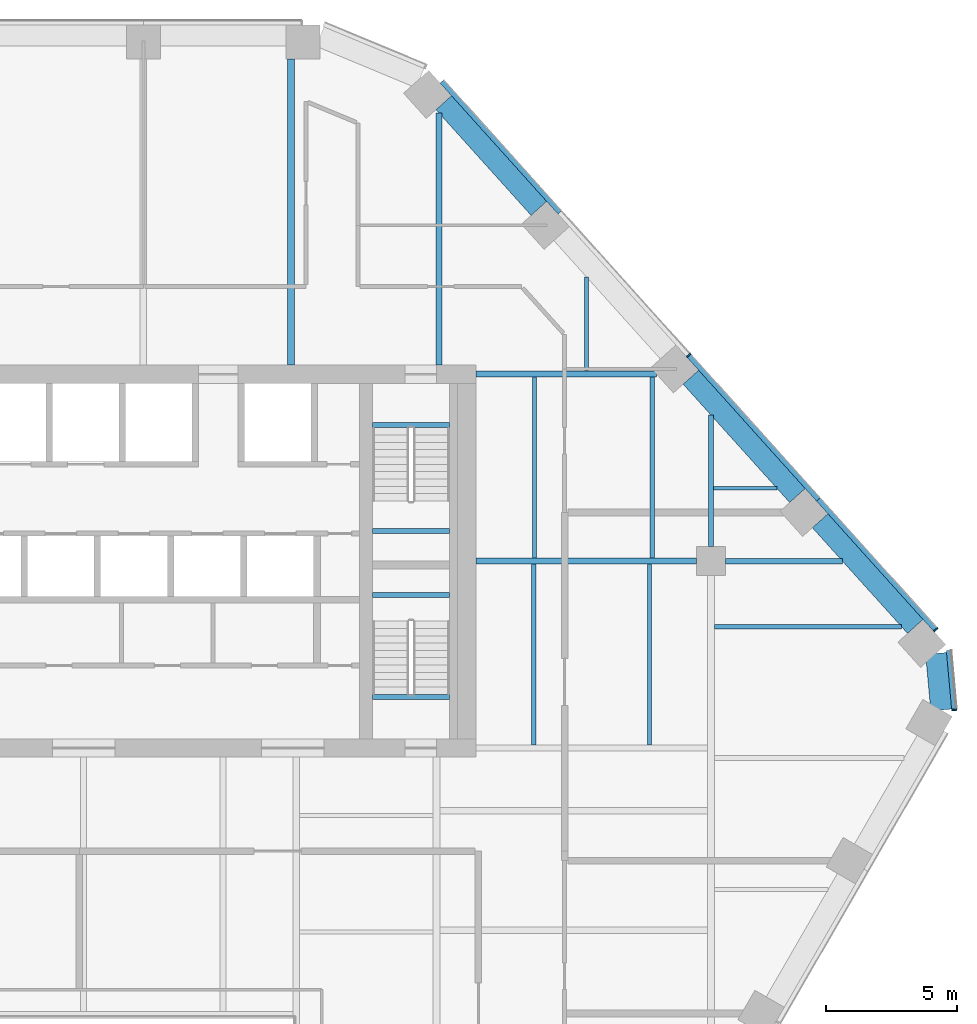
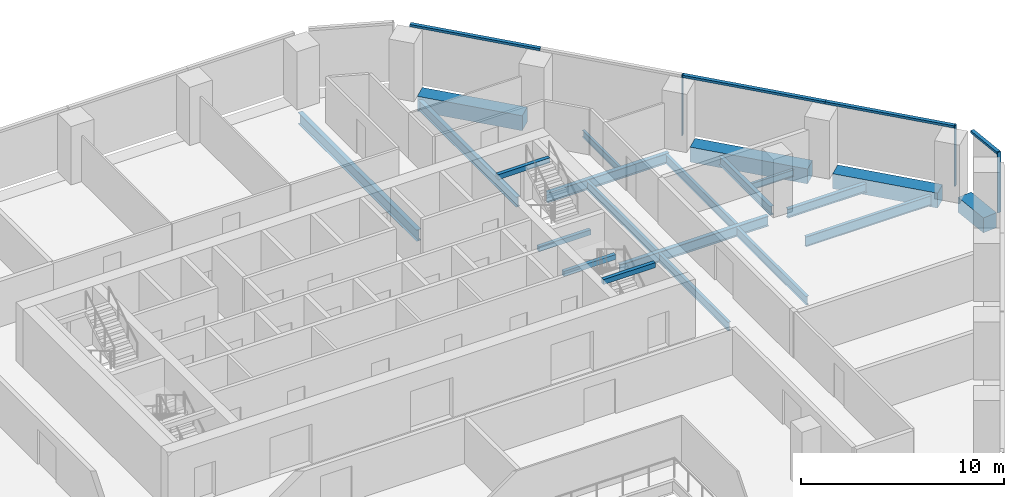
# One storey, part 8 of 16: 21 beams, 7 members, 2 elements without a shape of their own.
"""IFC4 building model written with IfcOpenShell, lengths in metres."""

import ifcopenshell
import ifcopenshell.guid

model = None  # the IFC model being written
_history = None  # IfcOwnerHistory: only IFC2X3 demands one
_inside = {}  # id of a spatial element -> (the spatial element, [elements in it])
_under = {}  # id of a project, library or spatial element -> (it, [spatial elements below it])
_declared = {}  # id of a project -> (the project, [libraries it declares])
_typed = {}  # id of a type object -> (the type object, [elements of that type])
_made_of = {}  # id of a material, layer set ... -> (it, [elements and type objects made of it])


def new_model(schema):
    """Start an empty IFC model of exactly this schema.

    Asked for "IFC4X3", IfcOpenShell would pick the latest addendum, in which some entities
    have other attributes; the version numbers below select the first issue.
    IFC2X3 requires an IfcOwnerHistory on every rooted entity: one is made here for all.
    """
    global model, _history
    if schema == "IFC4X3":
        model = ifcopenshell.file(schema_version=(4, 3, 0, 0))
    else:
        model = ifcopenshell.file(schema=schema)
    _inside.clear()
    _under.clear()
    _declared.clear()
    _typed.clear()
    _made_of.clear()
    _history = None
    if model.schema == "IFC2X3":
        org = make("IfcOrganization", Name="unknown")
        user = make(
            "IfcPersonAndOrganization",
            ThePerson=make("IfcPerson", FamilyName="unknown"),
            TheOrganization=org,
        )
        app = make(
            "IfcApplication",
            ApplicationDeveloper=org,
            Version="unknown",
            ApplicationFullName="unknown",
            ApplicationIdentifier="unknown",
        )
        _history = make(
            "IfcOwnerHistory",
            OwningUser=user,
            OwningApplication=app,
            ChangeAction="ADDED",
            CreationDate=0,
        )
    return model


def make(cls, **values):
    """One entity of the class cls with the attributes given. An attribute that is None is left unset."""
    return model.create_entity(
        cls, **{name: value for name, value in values.items() if value is not None}
    )


def rooted(cls, **values):
    """An entity with a GlobalId (a new one), such as an element, a storey or a relation."""
    return make(cls, GlobalId=ifcopenshell.guid.new(), OwnerHistory=_history, **values)


def si_unit(unit_type, name, prefix=None):
    """IfcSIUnit, for example si_unit("LENGTHUNIT", "METRE", prefix="MILLI")."""
    return make("IfcSIUnit", UnitType=unit_type, Prefix=prefix, Name=name)


def assignment(units):
    """IfcUnitAssignment: the units of a project."""
    return None if units is None else make("IfcUnitAssignment", Units=units)


def point(xyz):
    """IfcCartesianPoint."""
    return None if xyz is None else make("IfcCartesianPoint", Coordinates=xyz)


def direction(xyz):
    """IfcDirection."""
    return None if xyz is None else make("IfcDirection", DirectionRatios=xyz)


def frame(location, z_axis=None, x_axis=None):
    """IfcAxis2Placement3D, a coordinate frame: its origin and axes. An axis left out is left unset."""
    return make(
        "IfcAxis2Placement3D",
        Location=point(location),
        Axis=direction(z_axis),
        RefDirection=direction(x_axis),
    )


def frame_2d(location, x_axis=None):
    """IfcAxis2Placement2D, a coordinate frame in the plane: its origin and x axis."""
    return make(
        "IfcAxis2Placement2D", Location=point(location), RefDirection=direction(x_axis)
    )


def origin():
    """The frame at (0, 0, 0) with its axes left unset."""
    return frame((0.0, 0.0, 0.0))


def origin_2d():
    """The frame at (0, 0) in the plane with its x axis left unset."""
    return frame_2d((0.0, 0.0))


def place(relative_to, where):
    """IfcLocalPlacement: puts the frame where relative to a parent placement (None: the world)."""
    return make(
        "IfcLocalPlacement", PlacementRelTo=relative_to, RelativePlacement=where
    )


def context(
    kind, dimensions, precision=None, world=None, true_north=None, identifier=None
):
    """IfcGeometricRepresentationContext, for example the 3D "Model" context."""
    return make(
        "IfcGeometricRepresentationContext",
        ContextIdentifier=identifier,
        ContextType=kind,
        CoordinateSpaceDimension=dimensions,
        Precision=precision,
        WorldCoordinateSystem=world,
        TrueNorth=true_north,
    )


def subcontext(parent, identifier, kind, view, scale=None):
    """IfcGeometricRepresentationSubContext, for example "Body" below "Model"."""
    return make(
        "IfcGeometricRepresentationSubContext",
        ContextIdentifier=identifier,
        ContextType=kind,
        ParentContext=parent,
        TargetScale=scale,
        TargetView=view,
    )


def project(units=None, contexts=None):
    """IfcProject with its units and contexts."""
    return rooted(
        "IfcProject",
        Name="project",
        RepresentationContexts=contexts,
        UnitsInContext=assignment(units),
    )


def spatial(cls, under=None, at=None, **own):
    """A site, building, storey or space (cls), placed at a placement, below another one or the project."""
    s = rooted(cls, ObjectPlacement=at, **own)
    if under is not None:
        _under.setdefault(under.id(), (under, []))[1].append(s)
    return s


def profile(cls, at=None, kind="AREA", **sizes):
    """A parametric profile (cls). Its sizes go by their IFC names, for example OverallWidth=200.0."""
    return make(cls, ProfileType=kind, Position=at, **sizes)


def rectangle(**sizes):
    """IfcRectangleProfileDef."""
    return profile("IfcRectangleProfileDef", **sizes)


def i_section(**sizes):
    """IfcIShapeProfileDef."""
    return profile("IfcIShapeProfileDef", **sizes)


def extrude(swept, where, along, depth):
    """IfcExtrudedAreaSolid: the profile swept, set in the frame where, extruded along a direction by depth."""
    return make(
        "IfcExtrudedAreaSolid",
        SweptArea=swept,
        Position=where,
        ExtrudedDirection=direction(along),
        Depth=depth,
    )


def shape(context_of_items, identifier, shape_type, items):
    """IfcShapeRepresentation: the items that make up one representation, for example the "Body"."""
    return make(
        "IfcShapeRepresentation",
        ContextOfItems=context_of_items,
        RepresentationIdentifier=identifier,
        RepresentationType=shape_type,
        Items=items,
    )


def material(Name=None, Category=None):
    """IfcMaterial."""
    return make("IfcMaterial", Name=Name, Category=Category)


def layer(
    of_material, thickness, ventilated=None, Name=None, Category=None, Priority=None
):
    """IfcMaterialLayer: one layer of a wall or slab, of a material (None: an air gap)."""
    return make(
        "IfcMaterialLayer",
        Material=of_material,
        LayerThickness=thickness,
        IsVentilated=ventilated,
        Name=Name,
        Category=Category,
        Priority=Priority,
    )


def layer_set(layers, Name=None):
    """IfcMaterialLayerSet."""
    return make("IfcMaterialLayerSet", MaterialLayers=layers, LayerSetName=Name)


def material_profile(
    of_material, cross_section, Name=None, Category=None, Priority=None
):
    """IfcMaterialProfile: a cross section and its material."""
    return make(
        "IfcMaterialProfile",
        Name=Name,
        Material=of_material,
        Profile=cross_section,
        Priority=Priority,
        Category=Category,
    )


def profile_set(profiles, Name=None, composite=None):
    """IfcMaterialProfileSet."""
    return make(
        "IfcMaterialProfileSet",
        Name=Name,
        MaterialProfiles=profiles,
        CompositeProfile=composite,
    )


def made_of(thing, what):
    """Note that an element or type object is made of a material, layer set ...; save() writes the relation."""
    if what is not None:
        _made_of.setdefault(what.id(), (what, []))[1].append(thing)
    return thing


def type_object(cls, material=None, **own):
    """A type object (cls), such as IfcWallType, which elements share."""
    return made_of(rooted(cls, **own), material)


def element(
    cls,
    number,
    at=None,
    inside=None,
    cuts=None,
    type_object=None,
    material=None,
    context=None,
    identifier="Body",
    shape_type=None,
    held_by="IfcProductDefinitionShape",
    body=None,
    shapes=None,
    **own,
):
    """One element of the class cls, such as IfcWall. Its Tag is "e" and its number.

    at: its placement. inside: the storey or other place that contains it. cuts: it is an
    opening in that element (IfcRelVoidsElement). A single representation is given by context,
    identifier, shape_type and body (its items); several are given by shapes. held_by: the class
    of the entity that holds the representations. save() writes the other relations.
    """
    e = rooted(cls, Tag="e%d" % number, ObjectPlacement=at, **own)
    if body is not None:
        shapes = [shape(context, identifier, shape_type, body)]
    if shapes is not None:
        e.Representation = make(held_by, Representations=shapes)
    if inside is not None:
        _inside.setdefault(inside.id(), (inside, []))[1].append(e)
    if cuts is not None:
        rooted(
            "IfcRelVoidsElement", RelatingBuildingElement=cuts, RelatedOpeningElement=e
        )
    if type_object is not None:
        _typed.setdefault(type_object.id(), (type_object, []))[1].append(e)
    return made_of(e, material)


def aggregate(whole, parts):
    """IfcRelAggregates: a whole, such as a stair, and the parts it consists of."""
    return rooted("IfcRelAggregates", RelatingObject=whole, RelatedObjects=parts)


def save(model, path):
    """Write the relations noted so far, then the file.

    IfcRelAggregates (storeys below a building ...), IfcRelContainedInSpatialStructure (elements
    in a storey), IfcRelDefinesByType, IfcRelAssociatesMaterial and IfcRelDeclares: one each for
    every whole, place, type object, material and project.
    """
    for whole, parts in _under.values():
        aggregate(whole, parts)
    for where, things in _inside.values():
        rooted(
            "IfcRelContainedInSpatialStructure",
            RelatedElements=things,
            RelatingStructure=where,
        )
    for kind, things in _typed.values():
        rooted("IfcRelDefinesByType", RelatedObjects=things, RelatingType=kind)
    for what, things in _made_of.values():
        rooted("IfcRelAssociatesMaterial", RelatedObjects=things, RelatingMaterial=what)
    for by, libraries in _declared.values():
        rooted("IfcRelDeclares", RelatingContext=by, RelatedDefinitions=libraries)
    model.write(path)


model = new_model("IFC4")

# Units and contexts
model_context = context("Model", 3, precision=1e-05, world=origin(), true_north=direction((0.0, 1.0)))
body_context = subcontext(model_context, "Body", "Model", "MODEL_VIEW")
ifc_project = project(units=[si_unit("LENGTHUNIT", "METRE"), si_unit("AREAUNIT", "SQUARE_METRE"), si_unit("VOLUMEUNIT", "CUBIC_METRE"), si_unit("PLANEANGLEUNIT", "RADIAN"), si_unit("MASSUNIT", "GRAM", prefix="KILO")], contexts=[model_context])

# Site, building, storey
site_placement = place(None, origin())
site = spatial("IfcSite", under=ifc_project, at=site_placement, CompositionType="ELEMENT")
building_placement = place(site_placement, origin())
building = spatial("IfcBuilding", under=site, at=building_placement, Name="Isthmus Gate Tower", CompositionType="ELEMENT")
storey_placement = place(building_placement, frame((0.0, 0.0, 196.35009765625)))
storey = spatial("IfcBuildingStorey", under=building, at=storey_placement, Name="L49", CompositionType="ELEMENT", Elevation=196.35009765625)

# Curtain wall, member
ifc_material_1 = material(Name="Aluminium, pale champagne anodised", Category="aluminium")
ifc_layer = layer(ifc_material_1, 0.199951171875)
ifc_layer_set = layer_set([ifc_layer], Name="CW-1 UNITISED CURTAIN WALL 200 DEEP")
curtain_wall_type = type_object("IfcCurtainWallType", Name="CW-1 UNITISED CURTAIN WALL 200 DEEP", PredefinedType="NOTDEFINED", material=ifc_layer_set)
curtain_wall_1_placement = place(storey_placement, origin())
curtain_wall_1 = element("IfcCurtainWall", 1, at=curtain_wall_1_placement, inside=storey, type_object=curtain_wall_type, Name="CW-1 SE-NE L49", PredefinedType="NOTDEFINED")
ifc_material_2 = material(Name="Aluminium, pale champagne anodised", Category="aluminium")
ifc_material_profile_1 = material_profile(ifc_material_2, rectangle(XDim=0.06005859375, YDim=0.199951171875, at=origin_2d()), Name="60x200")
ifc_profile_set_1 = profile_set([ifc_material_profile_1], Name="Aluminium, pale champagne anodised")
member_type_1 = type_object("IfcMemberType", Name="CW-1 MULLION 60 X 200", PredefinedType="MULLION", material=ifc_profile_set_1)
member_1_placement = place(storey_placement, frame((33.307861328125, 1.804443359375, 0.0), z_axis=(0.0, 0.0, 1.0), x_axis=(-0.089396669717, 0.995996102123, 0.0)))
member_1 = element("IfcMember", 2, at=member_1_placement, type_object=member_type_1, Name="CW-1 mullion", PredefinedType="MULLION", context=body_context, shape_type="SweptSolid", body=[
    extrude(rectangle(XDim=0.06005859375, YDim=0.199951171875, at=origin_2d()), origin(), (0.0, 0.0, 1.0), 3.64990234375),
])

# Curtain wall, members
curtain_wall_2_placement = place(storey_placement, origin())
curtain_wall_2 = element("IfcCurtainWall", 3, at=curtain_wall_2_placement, inside=storey, type_object=curtain_wall_type, Name="CW-1 NE L49", PredefinedType="NOTDEFINED")
member_2_placement = place(storey_placement, frame((32.602783203125, 4.871337890625, 0.0), z_axis=(0.0, 0.0, 1.0), x_axis=(-0.669130606359, 0.743144825477, 0.0)))
member_2 = element("IfcMember", 4, at=member_2_placement, type_object=member_type_1, Name="CW-1 mullion", PredefinedType="MULLION", context=body_context, shape_type="SweptSolid", body=[
    extrude(rectangle(XDim=0.06005859375, YDim=0.199951171875, at=origin_2d()), origin(), (0.0, 0.0, 1.0), 3.64990234375),
])
member_3_placement = place(storey_placement, frame((23.14697265625, 15.373046875, 0.0), z_axis=(0.0, 0.0, 1.0), x_axis=(-0.669130606359, 0.743144825477, 0.0)))
member_3 = element("IfcMember", 5, at=member_3_placement, type_object=member_type_1, Name="CW-1 mullion", PredefinedType="MULLION", context=body_context, shape_type="SweptSolid", body=[
    extrude(rectangle(XDim=0.06005859375, YDim=0.199951171875, at=origin_2d()), origin(), (0.0, 0.0, 1.0), 3.64990234375),
])

# Member
ifc_material_3 = material(Name="Aluminium, pale champagne anodised", Category="aluminium")
ifc_material_profile_2 = material_profile(ifc_material_3, rectangle(XDim=0.199951171875, YDim=0.139892578125, at=origin_2d()), Name="200x140")
ifc_profile_set_2 = profile_set([ifc_material_profile_2], Name="Aluminium, pale champagne anodised")
member_type_2 = type_object("IfcMemberType", Name="CW-1 TRANSOM 200 X 140", PredefinedType="USERDEFINED", material=ifc_profile_set_2)
member_4_placement = place(storey_placement, frame((33.30517578125, 1.83447265625, 3.579833984375), z_axis=(-0.089395362867, 0.995996219419, 0.0), x_axis=(-0.995996219419, -0.089395362867, 0.0)))
member_4 = element("IfcMember", 6, at=member_4_placement, type_object=member_type_2, Name="CW-1 transom", ObjectType="TRANSOM", PredefinedType="USERDEFINED", context=body_context, shape_type="SweptSolid", body=[
    extrude(rectangle(XDim=0.199951171875, YDim=0.139892578125, at=origin_2d()), origin(), (0.0, 0.0, 1.0), 2.258544921875),
])

aggregate(curtain_wall_1, [member_1, member_4])

member_5_placement = place(storey_placement, frame((32.582763671875, 4.8935546875, 3.579833984375), z_axis=(-0.669138342957, 0.74313785934, 0.0), x_axis=(-0.74313785934, -0.669138342957, 0.0)))
member_5 = element("IfcMember", 7, at=member_5_placement, type_object=member_type_2, Name="CW-1 transom", ObjectType="TRANSOM", PredefinedType="USERDEFINED", context=body_context, shape_type="SweptSolid", body=[
    extrude(rectangle(XDim=0.199951171875, YDim=0.139892578125, at=origin_2d()), origin(), (0.0, 0.0, 1.0), 6.680908203125),
])

member_6_placement = place(storey_placement, frame((28.1123046875, 9.8583984375, 3.579833984375), z_axis=(-0.669123495435, 0.74315122812, 0.0), x_axis=(-0.74315122812, -0.669123495435, 0.0)))
member_6 = element("IfcMember", 8, at=member_6_placement, type_object=member_type_2, Name="CW-1 transom", ObjectType="TRANSOM", PredefinedType="USERDEFINED", context=body_context, shape_type="SweptSolid", body=[
    extrude(rectangle(XDim=0.199951171875, YDim=0.139892578125, at=origin_2d()), origin(), (0.0, 0.0, 1.0), 7.390625),
])

member_7_placement = place(storey_placement, frame((18.221435546875, 20.84326171875, 3.579833984375), z_axis=(-0.669102791064, 0.743169869538, 0.0), x_axis=(-0.743169869538, -0.669102791064, 0.0)))
member_7 = element("IfcMember", 9, at=member_7_placement, type_object=member_type_2, Name="CW-1 transom", ObjectType="TRANSOM", PredefinedType="USERDEFINED", context=body_context, shape_type="SweptSolid", body=[
    extrude(rectangle(XDim=0.199951171875, YDim=0.139892578125, at=origin_2d()), origin(), (0.0, 0.0, 1.0), 6.74072265625),
])

aggregate(curtain_wall_2, [member_2, member_5, member_6, member_3, member_7])

# Beams
ifc_material_4 = material(Name="Concrete f'c 60 MPa", Category="concrete")
ifc_material_profile_3 = material_profile(ifc_material_4, rectangle(XDim=0.800048828125, YDim=0.89990234375, at=origin_2d()), Name="RC 800X900")
ifc_profile_set_3 = profile_set([ifc_material_profile_3], Name="Concrete f'c 60 MPa")
beam_type_1 = type_object("IfcBeamType", Name="RC SPANDREL 800 X 900", PredefinedType="SPANDREL", material=ifc_profile_set_3)
beam_1_placement = place(storey_placement, frame((13.7744140625, 25.03515625, -0.4501953125), z_axis=(0.669118419563, -0.743155798337, 0.0), x_axis=(0.743155798337, 0.669118419563, 0.0)))
element("IfcBeam", 10, at=beam_1_placement, inside=storey, type_object=beam_type_1, Name="str-spandrel-L49-01", PredefinedType="SPANDREL", context=body_context, shape_type="SweptSolid", body=[
    extrude(rectangle(XDim=0.800048828125, YDim=0.89990234375, at=origin_2d()), origin(), (0.0, 0.0, 1.0), 5.44091796875),
])
beam_2_placement = place(storey_placement, frame((23.230224609375, 14.533203125, -0.4501953125), z_axis=(0.669141874065, -0.743134679835, 0.0), x_axis=(0.743134679835, 0.669141874065, 0.0)))
element("IfcBeam", 11, at=beam_2_placement, inside=storey, type_object=beam_type_1, Name="str-spandrel-L49-03", PredefinedType="SPANDREL", context=body_context, shape_type="SweptSolid", body=[
    extrude(rectangle(XDim=0.800048828125, YDim=0.89990234375, at=origin_2d()), origin(), (0.0, 0.0, 1.0), 6.0908203125),
])
beam_3_placement = place(storey_placement, frame((28.17578125, 9.040771484375, -0.4501953125), z_axis=(0.669140732593, -0.74313570765, 0.0), x_axis=(0.74313570765, 0.669140732593, 0.0)))
element("IfcBeam", 12, at=beam_3_placement, inside=storey, type_object=beam_type_1, Name="str-spandrel-L49-04", PredefinedType="SPANDREL", context=body_context, shape_type="SweptSolid", body=[
    extrude(rectangle(XDim=0.800048828125, YDim=0.89990234375, at=origin_2d()), origin(), (0.0, 0.0, 1.0), 5.440673828125),
])
beam_4_placement = place(storey_placement, frame((32.61181640625, 3.964599609375, -0.4501953125), z_axis=(0.089421511639, -0.995993872098, 0.0), x_axis=(0.995993872098, 0.089421511639, 0.0)))
element("IfcBeam", 13, at=beam_4_placement, inside=storey, type_object=beam_type_1, Name="str-spandrel-L49-05", PredefinedType="SPANDREL", context=body_context, shape_type="SweptSolid", body=[
    extrude(rectangle(XDim=0.800048828125, YDim=0.89990234375, at=origin_2d()), origin(), (0.0, 0.0, 1.0), 2.17333984375),
])
ifc_material_5 = material(Name="Concrete f'c 40 MPa", Category="concrete")
ifc_material_profile_4 = material_profile(ifc_material_5, rectangle(XDim=0.199951171875, YDim=0.300048828125, at=origin_2d()), Name="STAIR LANDING BEAM RC 200 X 300")
ifc_profile_set_4 = profile_set([ifc_material_profile_4], Name="Concrete f'c 40 MPa")
beam_type_2 = type_object("IfcBeamType", Name="STAIR LANDING BEAM RC 200 X 300", PredefinedType="BEAM", material=ifc_profile_set_4)
for number, where, z_axis, x_axis, name in (
    (14, (11.050048828125, 8.64990234375, 1.474853515625), (1.0, 0.0, 0.0), (0.0, 1.0, 0.0), "L49 ST2 landing beam 1"),
    (15, (11.050048828125, 12.7001953125, 3.349853515625), (1.0, 0.0, 0.0), (0.0, 1.0, 0.0), "L49 ST2 floor-edge seat beam"),
    (16, (11.050048828125, 6.199951171875, 1.474853515625), (1.0, 0.0, 0.0), (0.0, 1.0, 0.0), "L49 ST8 landing beam 1"),
    (17, (11.050048828125, 2.2998046875, 3.349853515625), (1.0, 0.0, 0.0), (0.0, 1.0, 0.0), "L49 ST8 floor-edge seat beam"),
):
    element("IfcBeam", number, at=place(storey_placement, frame(where, z_axis=z_axis, x_axis=x_axis)), inside=storey, type_object=beam_type_2, Name=name, PredefinedType="BEAM", context=body_context, shape_type="SweptSolid", body=[
        extrude(rectangle(XDim=0.199951171875, YDim=0.300048828125, at=origin_2d()), origin(), (0.0, 0.0, 1.0), 2.949951171875),
    ])
ifc_material_6 = material(Name="Structural steel ASTM A992 Gr 50", Category="steel")
ifc_material_profile_5 = material_profile(ifc_material_6, i_section(OverallWidth=0.1396484375, OverallDepth=0.4033203125, WebThickness=0.00634765625, FlangeThickness=0.010986328125, at=origin_2d()), Name="W16X31")
ifc_profile_set_5 = profile_set([ifc_material_profile_5], Name="Structural steel ASTM A992 Gr 50")
beam_type_3 = type_object("IfcBeamType", Name="STEEL FLOOR BEAM W16X31", PredefinedType="JOIST", material=ifc_profile_set_5)
beam_5_placement = place(storey_placement, frame((19.23681640625, 14.764404296875, -0.351806640625), z_axis=(0.0, 1.0, 0.0), x_axis=(-1.0, 0.0, 0.0)))
element("IfcBeam", 18, at=beam_5_placement, inside=storey, type_object=beam_type_3, Name="str-beam-L49-05-07", PredefinedType="JOIST", context=body_context, shape_type="SweptSolid", body=[
    extrude(i_section(OverallWidth=0.1396484375, OverallDepth=0.4033203125, WebThickness=0.00634765625, FlangeThickness=0.010986328125, at=origin_2d()), origin(), (0.0, 0.0, 1.0), 3.6064453125),
])
beam_6_placement = place(storey_placement, frame((24.104736328125, 10.284423828125, -0.351806640625), z_axis=(1.0, 0.0, 0.0), x_axis=(0.0, 1.0, 0.0)))
element("IfcBeam", 19, at=beam_6_placement, inside=storey, type_object=beam_type_3, Name="str-beam-L49-15-00", PredefinedType="JOIST", context=body_context, shape_type="SweptSolid", body=[
    extrude(i_section(OverallWidth=0.1396484375, OverallDepth=0.4033203125, WebThickness=0.00634765625, FlangeThickness=0.010986328125, at=origin_2d()), origin(), (0.0, 0.0, 1.0), 2.412841796875),
])
ifc_material_7 = material(Name="Structural steel ASTM A992 Gr 50", Category="steel")
ifc_material_profile_6 = material_profile(ifc_material_7, i_section(OverallWidth=0.1650390625, OverallDepth=0.52392578125, WebThickness=0.009521484375, FlangeThickness=0.010986328125, at=origin_2d()), Name="W21X44")
ifc_profile_set_6 = profile_set([ifc_material_profile_6], Name="Structural steel ASTM A992 Gr 50")
beam_type_4 = type_object("IfcBeamType", Name="STEEL FLOOR BEAM W21X44", PredefinedType="JOIST", material=ifc_profile_set_6)
for number, where, z_axis, x_axis, name in (
    (20, (17.25, 7.6142578125, -0.412109375), (0.0, 1.0, 0.0), (-1.0, 0.0, 0.0), "str-beam-L49-13-00"),
    (21, (21.75, 7.6142578125, -0.412109375), (0.0, 1.0, 0.0), (-1.0, 0.0, 0.0), "str-beam-L49-13-01"),
    (22, (17.216552734375, 0.46435546875, -0.412109375), (0.0, 1.0, 0.0), (-1.0, 0.0, 0.0), "str-beam-L49-14-00"),
    (23, (21.64990234375, 0.46435546875, -0.412109375), (0.0, 1.0, 0.0), (-1.0, 0.0, 0.0), "str-beam-L49-14-01"),
):
    element("IfcBeam", number, at=place(storey_placement, frame(where, z_axis=z_axis, x_axis=x_axis)), inside=storey, type_object=beam_type_4, Name=name, PredefinedType="JOIST", context=body_context, shape_type="SweptSolid", body=[
        extrude(i_section(OverallWidth=0.1650390625, OverallDepth=0.52392578125, WebThickness=0.009521484375, FlangeThickness=0.010986328125, at=origin_2d()), origin(), (0.0, 0.0, 1.0), 6.92138671875),
    ])
ifc_material_8 = material(Name="Structural steel ASTM A992 Gr 50", Category="steel")
ifc_material_profile_7 = material_profile(ifc_material_8, i_section(OverallWidth=0.177734375, OverallDepth=0.60009765625, WebThickness=0.009521484375, FlangeThickness=0.0126953125, at=origin_2d()), Name="W24X55")
ifc_profile_set_7 = profile_set([ifc_material_profile_7], Name="Structural steel ASTM A992 Gr 50")
beam_type_5 = type_object("IfcBeamType", Name="STEEL FLOOR BEAM W24X55", PredefinedType="JOIST", material=ifc_profile_set_7)
beam_7_placement = place(storey_placement, frame((24.13330078125, 4.987548828125, -0.4501953125), z_axis=(1.0, 0.0, 0.0), x_axis=(0.0, 1.0, 0.0)))
element("IfcBeam", 24, at=beam_7_placement, inside=storey, type_object=beam_type_5, Name="str-beam-L49-16-02", PredefinedType="JOIST", context=body_context, shape_type="SweptSolid", body=[
    extrude(i_section(OverallWidth=0.177734375, OverallDepth=0.60009765625, WebThickness=0.009521484375, FlangeThickness=0.0126953125, at=origin_2d()), origin(), (0.0, 0.0, 1.0), 7.15380859375),
])
ifc_material_9 = material(Name="Structural steel ASTM A992 Gr 50", Category="steel")
ifc_material_profile_8 = material_profile(ifc_material_9, i_section(OverallWidth=0.228515625, OverallDepth=0.603271484375, WebThickness=0.010986328125, FlangeThickness=0.014404296875, at=origin_2d()), Name="W24X68")
ifc_profile_set_8 = profile_set([ifc_material_profile_8], Name="Structural steel ASTM A992 Gr 50")
beam_type_6 = type_object("IfcBeamType", Name="STEEL FLOOR BEAM W24X68", PredefinedType="JOIST", material=ifc_profile_set_8)
beam_8_placement = place(storey_placement, frame((13.583984375, 15.0, -0.45166015625), z_axis=(0.0, 1.0, 0.0), x_axis=(-1.0, 0.0, 0.0)))
element("IfcBeam", 25, at=beam_8_placement, inside=storey, type_object=beam_type_6, Name="str-beam-L49-05-06", PredefinedType="JOIST", context=body_context, shape_type="SweptSolid", body=[
    extrude(i_section(OverallWidth=0.228515625, OverallDepth=0.603271484375, WebThickness=0.010986328125, FlangeThickness=0.014404296875, at=origin_2d()), origin(), (0.0, 0.0, 1.0), 9.648681640625),
])
ifc_material_10 = material(Name="Structural steel ASTM A992 Gr 50", Category="steel")
ifc_material_profile_9 = material_profile(ifc_material_10, i_section(OverallWidth=0.25390625, OverallDepth=0.679443359375, WebThickness=0.010986328125, FlangeThickness=0.015869140625, at=origin_2d()), Name="W27X84")
ifc_profile_set_9 = profile_set([ifc_material_profile_9], Name="Structural steel ASTM A992 Gr 50")
beam_type_7 = type_object("IfcBeamType", Name="STEEL FLOOR BEAM W27X84", PredefinedType="JOIST", material=ifc_profile_set_9)
beam_9_placement = place(storey_placement, frame((7.93115234375, 15.0, -0.48974609375), z_axis=(0.0, 1.0, 0.0), x_axis=(-1.0, 0.0, 0.0)))
element("IfcBeam", 26, at=beam_9_placement, inside=storey, type_object=beam_type_7, Name="str-beam-L49-05-05", PredefinedType="JOIST", context=body_context, shape_type="SweptSolid", body=[
    extrude(i_section(OverallWidth=0.25390625, OverallDepth=0.679443359375, WebThickness=0.010986328125, FlangeThickness=0.015869140625, at=origin_2d()), origin(), (0.0, 0.0, 1.0), 11.699951171875),
])
ifc_material_11 = material(Name="Structural steel ASTM A992 Gr 50", Category="steel")
ifc_material_profile_10 = material_profile(ifc_material_11, i_section(OverallWidth=0.20947265625, OverallDepth=0.533447265625, WebThickness=0.009521484375, FlangeThickness=0.015869140625, at=origin_2d()), Name="W21X62")
ifc_profile_set_10 = profile_set([ifc_material_profile_10], Name="Structural steel ASTM A992 Gr 50")
beam_type_8 = type_object("IfcBeamType", Name="STEEL GIRDER W21X62", PredefinedType="BEAM", material=ifc_profile_set_10)
beam_10_placement = place(storey_placement, frame((24.550048828125, 7.5, -0.416748046875), z_axis=(1.0, 0.0, 0.0), x_axis=(0.0, 1.0, 0.0)))
element("IfcBeam", 27, at=beam_10_placement, inside=storey, type_object=beam_type_8, Name="str-girder-L49-06", PredefinedType="BEAM", context=body_context, shape_type="SweptSolid", body=[
    extrude(i_section(OverallWidth=0.20947265625, OverallDepth=0.533447265625, WebThickness=0.009521484375, FlangeThickness=0.015869140625, at=origin_2d()), origin(), (0.0, 0.0, 1.0), 4.474853515625),
])
beam_11_placement = place(storey_placement, frame((24.0, 8.050048828125, -0.416748046875), z_axis=(0.0, 1.0, 0.0), x_axis=(-1.0, 0.0, 0.0)))
element("IfcBeam", 28, at=beam_11_placement, inside=storey, type_object=beam_type_8, Name="str-girder-L49-12", PredefinedType="BEAM", context=body_context, shape_type="SweptSolid", body=[
    extrude(i_section(OverallWidth=0.20947265625, OverallDepth=0.533447265625, WebThickness=0.009521484375, FlangeThickness=0.015869140625, at=origin_2d()), origin(), (0.0, 0.0, 1.0), 5.030517578125),
])
ifc_material_12 = material(Name="Structural steel ASTM A992 Gr 50", Category="steel")
ifc_material_profile_11 = material_profile(ifc_material_12, i_section(OverallWidth=0.228515625, OverallDepth=0.603271484375, WebThickness=0.010986328125, FlangeThickness=0.014404296875, at=origin_2d()), Name="W24X68")
ifc_profile_set_11 = profile_set([ifc_material_profile_11], Name="Structural steel ASTM A992 Gr 50")
beam_type_9 = type_object("IfcBeamType", Name="STEEL GIRDER W24X68", PredefinedType="BEAM", material=ifc_profile_set_11)
beam_12_placement = place(storey_placement, frame((15.0, 14.64990234375, -0.45166015625), z_axis=(1.0, 0.0, 0.0), x_axis=(0.0, 1.0, 0.0)))
element("IfcBeam", 29, at=beam_12_placement, inside=storey, type_object=beam_type_9, Name="str-girder-L49-16", PredefinedType="BEAM", context=body_context, shape_type="SweptSolid", body=[
    extrude(i_section(OverallWidth=0.228515625, OverallDepth=0.603271484375, WebThickness=0.010986328125, FlangeThickness=0.014404296875, at=origin_2d()), origin(), (0.0, 0.0, 1.0), 6.9140625),
])
ifc_material_13 = material(Name="Structural steel ASTM A992 Gr 50", Category="steel")
ifc_material_profile_12 = material_profile(ifc_material_13, i_section(OverallWidth=0.228515625, OverallDepth=0.6064453125, WebThickness=0.010986328125, FlangeThickness=0.017578125, at=origin_2d()), Name="W24X76")
ifc_profile_set_12 = profile_set([ifc_material_profile_12], Name="Structural steel ASTM A992 Gr 50")
beam_type_10 = type_object("IfcBeamType", Name="STEEL GIRDER W24X76", PredefinedType="BEAM", material=ifc_profile_set_12)
beam_13_placement = place(storey_placement, frame((15.0, 7.5, -0.453369140625), z_axis=(1.0, 0.0, 0.0), x_axis=(0.0, 1.0, 0.0)))
element("IfcBeam", 30, at=beam_13_placement, inside=storey, type_object=beam_type_10, Name="str-girder-L49-05", PredefinedType="BEAM", context=body_context, shape_type="SweptSolid", body=[
    extrude(i_section(OverallWidth=0.228515625, OverallDepth=0.6064453125, WebThickness=0.010986328125, FlangeThickness=0.017578125, at=origin_2d()), origin(), (0.0, 0.0, 1.0), 8.449951171875),
])

save(model, "model.ifc")
